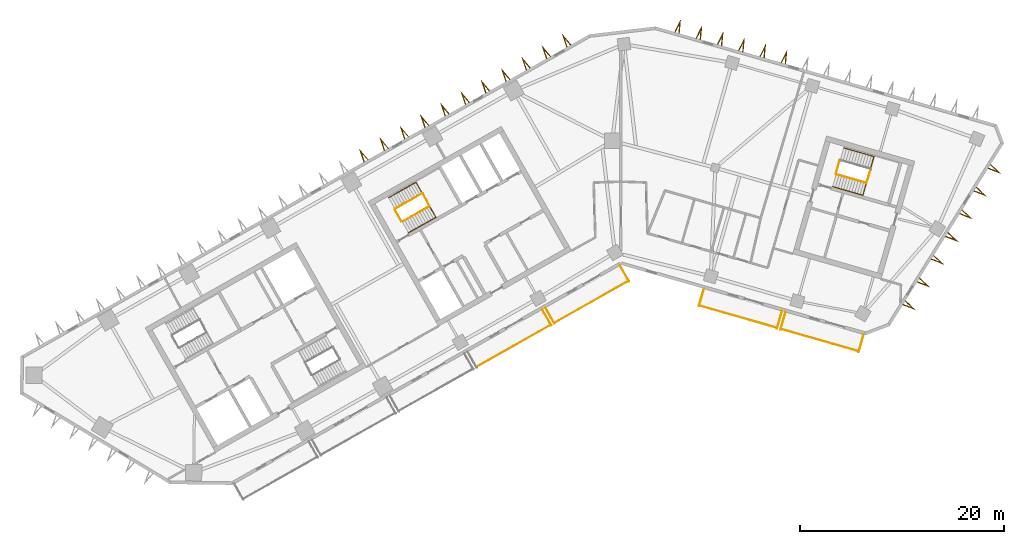
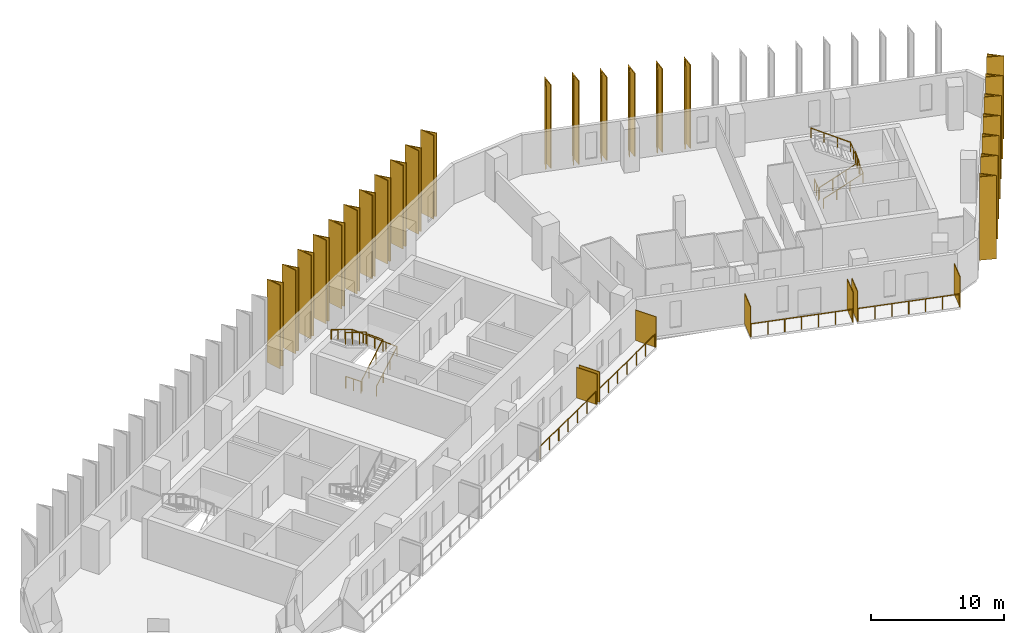
# One storey, part 9 of 10: 31 shading devices, 11 railings.
"""IFC4 building model written with IfcOpenShell, lengths in metres."""

from ifc_helpers import new_model, si_unit, direction, frame, origin, origin_2d, place, context, subcontext, project, spatial, polyline, rectangle, circle, outline, extrude, material, layer, layer_set, type_object, element, save


model = new_model("IFC4")

# Units and contexts
model_context = context("Model", 3, precision=1e-05, world=origin(), true_north=direction((0.0, 1.0)))
body_context = subcontext(model_context, "Body", "Model", "MODEL_VIEW")
ifc_project = project(units=[si_unit("LENGTHUNIT", "METRE"), si_unit("AREAUNIT", "SQUARE_METRE"), si_unit("VOLUMEUNIT", "CUBIC_METRE"), si_unit("PLANEANGLEUNIT", "RADIAN"), si_unit("MASSUNIT", "GRAM", prefix="KILO")], contexts=[model_context])

# Site, building, storey
site_placement = place(None, origin())
site = spatial("IfcSite", under=ifc_project, at=site_placement, CompositionType="ELEMENT")
building_placement = place(site_placement, origin())
building = spatial("IfcBuilding", under=site, at=building_placement, Name="Binnacle Exchange Tower", CompositionType="ELEMENT")
storey_placement = place(building_placement, frame((0.0, 0.0, 170.89990234375)))
storey = spatial("IfcBuildingStorey", under=building, at=storey_placement, Name="L36", CompositionType="ELEMENT", Elevation=170.89990234375)

# Railings
ifc_material_1 = material(Name="Bronze anodised aluminium frame", Category="aluminium")
railing_type_1 = type_object("IfcRailingType", Name="GUARD 1200", PredefinedType="GUARDRAIL", material=ifc_material_1)
railing_1_placement = place(storey_placement, frame((-14.135498046875, 37.85400390625, 0.0)))
element("IfcRailing", 1, at=railing_1_placement, inside=storey, type_object=railing_type_1, Name="Balcony guard G01-B03 L36", PredefinedType="GUARDRAIL", context=body_context, shape_type="SweptSolid", body=[
    extrude(circle(Radius=0.02392578125, at=origin_2d()), frame((0.0, 0.0, 1.17578125), z_axis=(0.870365821494, 0.492405662818, 0.0), x_axis=(-0.492405662818, 0.870365821494, 0.0)), (0.0, 0.0, 1.0), 8.334716796875),
    extrude(circle(Radius=0.02099609375, at=origin_2d()), origin(), (0.0, 0.0, 1.0), 1.15185546875),
    extrude(circle(Radius=0.02099609375, at=origin_2d()), frame((1.208984375, 0.68408203125, 0.0)), (0.0, 0.0, 1.0), 1.15185546875),
    extrude(circle(Radius=0.02099609375, at=origin_2d()), frame((2.41796875, 1.367919921875, 0.0)), (0.0, 0.0, 1.0), 1.15185546875),
    extrude(circle(Radius=0.02099609375, at=origin_2d()), frame((3.626953125, 2.052001953125, 0.0)), (0.0, 0.0, 1.0), 1.15185546875),
    extrude(circle(Radius=0.02099609375, at=origin_2d()), frame((4.836181640625, 2.736083984375, 0.0)), (0.0, 0.0, 1.0), 1.15185546875),
    extrude(circle(Radius=0.02099609375, at=origin_2d()), frame((6.045166015625, 3.419921875, 0.0)), (0.0, 0.0, 1.0), 1.15185546875),
    extrude(circle(Radius=0.02099609375, at=origin_2d()), frame((7.254150390625, 4.10400390625, 0.0)), (0.0, 0.0, 1.0), 1.15185546875),
])
railing_2_placement = place(storey_placement, frame((-6.515869140625, 42.164794921875, 0.0)))
element("IfcRailing", 2, at=railing_2_placement, inside=storey, type_object=railing_type_1, Name="Balcony guard G01-B04 L36", PredefinedType="GUARDRAIL", context=body_context, shape_type="SweptSolid", body=[
    extrude(circle(Radius=0.02392578125, at=origin_2d()), frame((0.0, 0.0, 1.17578125), z_axis=(0.8703461643, 0.49244040684, 0.0), x_axis=(-0.49244040684, 0.8703461643, 0.0)), (0.0, 0.0, 1.0), 8.33447265625),
    extrude(circle(Radius=0.02099609375, at=origin_2d()), origin(), (0.0, 0.0, 1.0), 1.15185546875),
    extrude(circle(Radius=0.02099609375, at=origin_2d()), frame((1.208984375, 0.68408203125, 0.0)), (0.0, 0.0, 1.0), 1.15185546875),
    extrude(circle(Radius=0.02099609375, at=origin_2d()), frame((2.41796875, 1.3681640625, 0.0)), (0.0, 0.0, 1.0), 1.15185546875),
    extrude(circle(Radius=0.02099609375, at=origin_2d()), frame((3.626953125, 2.05224609375, 0.0)), (0.0, 0.0, 1.0), 1.15185546875),
    extrude(circle(Radius=0.02099609375, at=origin_2d()), frame((4.8359375, 2.736083984375, 0.0)), (0.0, 0.0, 1.0), 1.15185546875),
    extrude(circle(Radius=0.02099609375, at=origin_2d()), frame((6.044921875, 3.420166015625, 0.0)), (0.0, 0.0, 1.0), 1.15185546875),
    extrude(circle(Radius=0.02099609375, at=origin_2d()), frame((7.25390625, 4.104248046875, 0.0)), (0.0, 0.0, 1.0), 1.15185546875),
])
for number, where, name in (
    (3, (7.6845703125, 43.85107421875, 0.0), "Balcony guard G02-B01 L36"),
    (4, (15.6826171875, 41.5576171875, 0.0), "Balcony guard G02-B02 L36"),
):
    element("IfcRailing", number, at=place(storey_placement, frame(where)), inside=storey, type_object=railing_type_1, Name=name, PredefinedType="GUARDRAIL", context=body_context, shape_type="SweptSolid", body=[
        extrude(circle(Radius=0.02392578125, at=origin_2d()), frame((0.0, 0.0, 1.17578125), z_axis=(0.961265805968, -0.275623022035, 0.0), x_axis=(0.275623022035, 0.961265805968, 0.0)), (0.0, 0.0, 1.0), 7.900146484375),
        extrude(circle(Radius=0.02099609375, at=origin_2d()), origin(), (0.0, 0.0, 1.0), 1.15185546875),
        extrude(circle(Radius=0.02099609375, at=origin_2d()), frame((1.265625, -0.36279296875, 0.0)), (0.0, 0.0, 1.0), 1.15185546875),
        extrude(circle(Radius=0.02099609375, at=origin_2d()), frame((2.531494140625, -0.725830078125, 0.0)), (0.0, 0.0, 1.0), 1.15185546875),
        extrude(circle(Radius=0.02099609375, at=origin_2d()), frame((3.797119140625, -1.0888671875, 0.0)), (0.0, 0.0, 1.0), 1.15185546875),
        extrude(circle(Radius=0.02099609375, at=origin_2d()), frame((5.062744140625, -1.45166015625, 0.0)), (0.0, 0.0, 1.0), 1.15185546875),
        extrude(circle(Radius=0.02099609375, at=origin_2d()), frame((6.32861328125, -1.814453125, 0.0)), (0.0, 0.0, 1.0), 1.15185546875),
        extrude(circle(Radius=0.02099609375, at=origin_2d()), frame((7.59423828125, -2.177490234375, 0.0)), (0.0, 0.0, 1.0), 1.15185546875),
    ])

# Shading devices
ifc_material_2 = material(Name="Bronze aluminium louvre", Category="aluminium")
ifc_layer = layer(ifc_material_2, 0.06005859375)
ifc_layer_set = layer_set([ifc_layer], Name="PLANTED SCREEN 60x2800")
shading_device_type_1 = type_object("IfcShadingDeviceType", Name="PLANTED SCREEN 60x2800", PredefinedType="USERDEFINED", material=ifc_layer_set)
for number, where, z_axis, x_axis, name in (
    (5, (-7.259033203125, 42.6865234375, 0.0), (0.0, 0.0, 1.0), (0.87035569594, 0.492423560103, 0.0), "Planted screen G01-B03b L36"),
    (6, (-6.94580078125, 42.864013671875, 0.0), (0.0, 0.0, 1.0), (0.87035569594, 0.492423560103, 0.0), "Planted screen G01-B04a L36"),
    (7, (0.3603515625, 46.99755859375, 0.0), (0.0, 0.0, 1.0), (0.87035569594, 0.492423560103, 0.0), "Planted screen G01-B04b L36"),
    (8, (7.881591796875, 44.647705078125, 0.0), (0.0, 0.0, 1.0), (0.961261695938, -0.275637355817, 0.0), "Planted screen G02-B01a L36"),
    (9, (15.53369140625, 42.45361328125, 0.0), (0.0, 0.0, 1.0), (0.961261695938, -0.275637355817, 0.0), "Planted screen G02-B01b L36"),
    (10, (15.8798828125, 42.354248046875, 0.0), (0.0, 0.0, 1.0), (0.961261695938, -0.275637355817, 0.0), "Planted screen G02-B02a L36"),
    (11, (23.53173828125, 40.16015625, 0.0), (0.0, 0.0, 1.0), (0.961261695938, -0.275637355817, 0.0), "Planted screen G02-B02b L36"),
):
    element("IfcShadingDevice", number, at=place(storey_placement, frame(where, z_axis=z_axis, x_axis=x_axis)), inside=storey, type_object=shading_device_type_1, Name=name, ObjectType="SCREEN", PredefinedType="USERDEFINED", context=body_context, shape_type="SweptSolid", body=[
        extrude(rectangle(XDim=0.06005859375, YDim=1.800048828125, at=origin_2d()), origin(), (0.0, 0.0, 1.0), 2.800048828125),
    ])

# Railings
ifc_material_3 = material(Name="Steel guard rail", Category="steel")
railing_type_2 = type_object("IfcRailingType", Name="STAIR GUARD 1100", PredefinedType="GUARDRAIL", material=ifc_material_3)
railing_3_placement = place(storey_placement, frame((-21.423828125, 52.07275390625, 0.166748046875)))
element("IfcRailing", 12, at=railing_3_placement, inside=storey, type_object=railing_type_2, Name="L36 STC1 stair guard 1", PredefinedType="GUARDRAIL", context=body_context, shape_type="SweptSolid", body=[
    extrude(circle(Radius=0.02392578125, at=origin_2d()), frame((0.0, 0.0, 1.076171875), z_axis=(0.747900833971, 0.423129324283, 0.511474258861), x_axis=(-0.492412445098, 0.870361984414, 0.0)), (0.0, 0.0, 1.0), 3.584228515625),
    extrude(circle(Radius=0.02392578125, at=origin_2d()), frame((2.6806640625, 1.5166015625, 2.9091796875), z_axis=(-0.460963092712, 0.887419307406, 0.0), x_axis=(-0.887419307406, -0.460963092712, 0.0)), (0.0, 0.0, 1.0), 1.40087890625),
    extrude(circle(Radius=0.02099609375, at=origin_2d()), origin(), (0.0, 0.0, 1.0), 1.052001953125),
    extrude(circle(Radius=0.02099609375, at=origin_2d()), frame((0.8935546875, 0.505615234375, 0.611083984375)), (0.0, 0.0, 1.0), 1.052001953125),
    extrude(circle(Radius=0.02099609375, at=origin_2d()), frame((1.787109375, 1.010986328125, 1.22216796875)), (0.0, 0.0, 1.0), 1.052001953125),
    extrude(circle(Radius=0.02099609375, at=origin_2d()), frame((2.6806640625, 1.5166015625, 1.833251953125)), (0.0, 0.0, 1.0), 1.052001953125),
    extrude(circle(Radius=0.02099609375, at=origin_2d()), frame((2.35791015625, 2.13818359375, 1.833251953125)), (0.0, 0.0, 1.0), 1.052001953125),
    extrude(circle(Radius=0.02099609375, at=origin_2d()), frame((2.034912109375, 2.759765625, 1.833251953125)), (0.0, 0.0, 1.0), 1.052001953125),
])
railing_4_placement = place(storey_placement, frame((-19.45703125, 54.851318359375, 2.166748046875)))
element("IfcRailing", 13, at=railing_4_placement, inside=storey, type_object=railing_type_2, Name="L36 STC1 stair guard 2", PredefinedType="GUARDRAIL", context=body_context, shape_type="SweptSolid", body=[
    extrude(circle(Radius=0.02392578125, at=origin_2d()), frame((0.0, 0.0, 1.076171875), z_axis=(-0.747900833971, -0.423129324283, 0.511474258861), x_axis=(0.492412445098, -0.870361984414, 0.0)), (0.0, 0.0, 1.0), 3.584228515625),
    extrude(circle(Radius=0.02099609375, at=origin_2d()), origin(), (0.0, 0.0, 1.0), 1.052001953125),
    extrude(circle(Radius=0.02099609375, at=origin_2d()), frame((-0.8935546875, -0.505615234375, 0.611083984375)), (0.0, 0.0, 1.0), 1.052001953125),
    extrude(circle(Radius=0.02099609375, at=origin_2d()), frame((-1.787109375, -1.010986328125, 1.22216796875)), (0.0, 0.0, 1.0), 1.052001953125),
    extrude(circle(Radius=0.02099609375, at=origin_2d()), frame((-2.6806640625, -1.5166015625, 1.833251953125)), (0.0, 0.0, 1.0), 1.052001953125),
])
railing_5_placement = place(storey_placement, frame((-21.491943359375, 52.091552734375, 0.0)))
element("IfcRailing", 14, at=railing_5_placement, inside=storey, type_object=railing_type_2, Name="L36 STC1 stair guard 3", PredefinedType="GUARDRAIL", context=body_context, shape_type="SweptSolid", body=[
    extrude(circle(Radius=0.02392578125, at=origin_2d()), frame((0.0, 0.0, 1.076171875), z_axis=(-0.49241474071, 0.870360685654, 0.0), x_axis=(-0.870360685654, -0.49241474071, 0.0)), (0.0, 0.0, 1.0), 1.35009765625),
    extrude(circle(Radius=0.02099609375, at=origin_2d()), origin(), (0.0, 0.0, 1.0), 1.052001953125),
    extrude(circle(Radius=0.02099609375, at=origin_2d()), frame((-0.33251953125, 0.58740234375, 0.0)), (0.0, 0.0, 1.0), 1.052001953125),
    extrude(circle(Radius=0.02099609375, at=origin_2d()), frame((-0.664794921875, 1.175048828125, 0.0)), (0.0, 0.0, 1.0), 1.052001953125),
])
railing_6_placement = place(storey_placement, frame((21.086669921875, 56.71044921875, 0.166748046875)))
element("IfcRailing", 15, at=railing_6_placement, inside=storey, type_object=railing_type_2, Name="L36 STD1 stair guard 1", PredefinedType="GUARDRAIL", context=body_context, shape_type="SweptSolid", body=[
    extrude(circle(Radius=0.02392578125, at=origin_2d()), frame((0.0, 0.0, 1.076171875), z_axis=(0.826006950853, -0.236897186037, 0.511460888427), x_axis=(0.27568413623, 0.961248280639, 0.0)), (0.0, 0.0, 1.0), 3.584228515625),
    extrude(circle(Radius=0.02392578125, at=origin_2d()), frame((2.960693359375, -0.84912109375, 2.9091796875), z_axis=(0.309684985722, 0.950839213337, 0.0), x_axis=(-0.950839213337, 0.309684985722, 0.0)), (0.0, 0.0, 1.0), 1.40087890625),
    extrude(circle(Radius=0.02099609375, at=origin_2d()), origin(), (0.0, 0.0, 1.0), 1.052001953125),
    extrude(circle(Radius=0.02099609375, at=origin_2d()), frame((0.98681640625, -0.282958984375, 0.611083984375)), (0.0, 0.0, 1.0), 1.052001953125),
    extrude(circle(Radius=0.02099609375, at=origin_2d()), frame((1.973876953125, -0.566162109375, 1.22216796875)), (0.0, 0.0, 1.0), 1.052001953125),
    extrude(circle(Radius=0.02099609375, at=origin_2d()), frame((2.960693359375, -0.84912109375, 1.833251953125)), (0.0, 0.0, 1.0), 1.052001953125),
    extrude(circle(Radius=0.02099609375, at=origin_2d()), frame((3.177734375, -0.18310546875, 1.833251953125)), (0.0, 0.0, 1.0), 1.052001953125),
    extrude(circle(Radius=0.02099609375, at=origin_2d()), frame((3.39453125, 0.48291015625, 1.833251953125)), (0.0, 0.0, 1.0), 1.052001953125),
])
railing_7_placement = place(storey_placement, frame((21.05224609375, 56.772216796875, 0.0)))
element("IfcRailing", 16, at=railing_7_placement, inside=storey, type_object=railing_type_2, Name="L36 STD1 stair guard 3", PredefinedType="GUARDRAIL", context=body_context, shape_type="SweptSolid", body=[
    extrude(circle(Radius=0.02392578125, at=origin_2d()), frame((0.0, 0.0, 1.076171875), z_axis=(0.275795817769, 0.961216243569, 0.0), x_axis=(-0.961216243569, 0.275795817769, 0.0)), (0.0, 0.0, 1.0), 1.349853515625),
    extrude(circle(Radius=0.02099609375, at=origin_2d()), origin(), (0.0, 0.0, 1.0), 1.052001953125),
    extrude(circle(Radius=0.02099609375, at=origin_2d()), frame((0.18603515625, 0.64892578125, 0.0)), (0.0, 0.0, 1.0), 1.052001953125),
    extrude(circle(Radius=0.02099609375, at=origin_2d()), frame((0.372314453125, 1.297607421875, 0.0)), (0.0, 0.0, 1.0), 1.052001953125),
])
ifc_material_4 = material(Name="Steel handrail", Category="steel")
railing_type_3 = type_object("IfcRailingType", Name="STAIR HANDRAIL 900", PredefinedType="HANDRAIL", material=ifc_material_4)
railing_8_placement = place(storey_placement, frame((-20.808349609375, 50.984619140625, 0.166748046875)))
element("IfcRailing", 17, at=railing_8_placement, inside=storey, type_object=railing_type_3, Name="L36 STC1 stair handrail 1", PredefinedType="HANDRAIL", context=body_context, shape_type="SweptSolid", body=[
    extrude(circle(Radius=0.02392578125, at=origin_2d()), frame((0.0, 0.0, 0.8759765625), z_axis=(0.747909291085, 0.423163685048, 0.51143346387), x_axis=(-0.49243851748, 0.870347233294, 0.0)), (0.0, 0.0, 1.0), 3.58447265625),
    extrude(circle(Radius=0.02392578125, at=origin_2d()), frame((2.680908203125, 1.516845703125, 2.708984375), z_axis=(-0.492001882252, 0.86957179666, 0.042178647619), x_axis=(-0.87034633103, -0.492440112159, 0.0)), (0.0, 0.0, 1.0), 3.953369140625),
    extrude(circle(Radius=0.02392578125, at=origin_2d()), frame((0.73583984375, 4.95458984375, 2.8759765625), z_axis=(-0.747930846092, -0.423107769413, 0.511448203561), x_axis=(0.492378474645, -0.870381202524, 0.0)), (0.0, 0.0, 1.0), 3.58447265625),
    extrude(circle(Radius=0.02099609375, at=origin_2d()), origin(), (0.0, 0.0, 1.0), 0.851806640625),
    extrude(circle(Radius=0.02099609375, at=origin_2d()), frame((0.8935546875, 0.505615234375, 0.611083984375)), (0.0, 0.0, 1.0), 0.851806640625),
    extrude(circle(Radius=0.02099609375, at=origin_2d()), frame((1.787353515625, 1.01123046875, 1.22216796875)), (0.0, 0.0, 1.0), 0.851806640625),
    extrude(circle(Radius=0.02099609375, at=origin_2d()), frame((2.680908203125, 1.516845703125, 1.833251953125)), (0.0, 0.0, 1.0), 0.851806640625),
    extrude(circle(Radius=0.02099609375, at=origin_2d()), frame((2.194580078125, 2.376220703125, 1.875)), (0.0, 0.0, 1.0), 0.851806640625),
    extrude(circle(Radius=0.02099609375, at=origin_2d()), frame((1.70849609375, 3.23583984375, 1.91650390625)), (0.0, 0.0, 1.0), 0.851806640625),
    extrude(circle(Radius=0.02099609375, at=origin_2d()), frame((1.22216796875, 4.09521484375, 1.958251953125)), (0.0, 0.0, 1.0), 0.851806640625),
    extrude(circle(Radius=0.02099609375, at=origin_2d()), frame((0.73583984375, 4.95458984375, 2.0)), (0.0, 0.0, 1.0), 0.851806640625),
    extrude(circle(Radius=0.02099609375, at=origin_2d()), frame((-0.15771484375, 4.448974609375, 2.611083984375)), (0.0, 0.0, 1.0), 0.851806640625),
    extrude(circle(Radius=0.02099609375, at=origin_2d()), frame((-1.051513671875, 3.943603515625, 3.22216796875)), (0.0, 0.0, 1.0), 0.851806640625),
    extrude(circle(Radius=0.02099609375, at=origin_2d()), frame((-1.945068359375, 3.43798828125, 3.833251953125)), (0.0, 0.0, 1.0), 0.851806640625),
])
railing_9_placement = place(storey_placement, frame((20.7421875, 55.5087890625, 0.166748046875)))
element("IfcRailing", 18, at=railing_9_placement, inside=storey, type_object=railing_type_3, Name="L36 STD1 stair handrail 1", PredefinedType="HANDRAIL", context=body_context, shape_type="SweptSolid", body=[
    extrude(circle(Radius=0.02392578125, at=origin_2d()), frame((0.0, 0.0, 0.8759765625), z_axis=(0.826020277534, -0.236832893954, 0.511469140266), x_axis=(0.275610892984, 0.961269283639, 0.0)), (0.0, 0.0, 1.0), 3.584228515625),
    extrude(circle(Radius=0.02392578125, at=origin_2d()), frame((2.960693359375, -0.848876953125, 2.708984375), z_axis=(0.275365570671, 0.960413849534, 0.042178668932), x_axis=(-0.961269298493, 0.275610841177, 0.0)), (0.0, 0.0, 1.0), 3.953369140625),
    extrude(circle(Radius=0.02392578125, at=origin_2d()), frame((4.04931640625, 2.947998046875, 2.8759765625), z_axis=(-0.826020277534, 0.236832893954, 0.511469140266), x_axis=(-0.275610892984, -0.961269283639, 0.0)), (0.0, 0.0, 1.0), 3.584228515625),
    extrude(circle(Radius=0.02099609375, at=origin_2d()), origin(), (0.0, 0.0, 1.0), 0.851806640625),
    extrude(circle(Radius=0.02099609375, at=origin_2d()), frame((0.98681640625, -0.282958984375, 0.611083984375)), (0.0, 0.0, 1.0), 0.851806640625),
    extrude(circle(Radius=0.02099609375, at=origin_2d()), frame((1.973876953125, -0.56591796875, 1.22216796875)), (0.0, 0.0, 1.0), 0.851806640625),
    extrude(circle(Radius=0.02099609375, at=origin_2d()), frame((2.960693359375, -0.848876953125, 1.833251953125)), (0.0, 0.0, 1.0), 0.851806640625),
    extrude(circle(Radius=0.02099609375, at=origin_2d()), frame((3.23291015625, 0.100341796875, 1.875)), (0.0, 0.0, 1.0), 0.851806640625),
    extrude(circle(Radius=0.02099609375, at=origin_2d()), frame((3.5048828125, 1.049560546875, 1.91650390625)), (0.0, 0.0, 1.0), 0.851806640625),
    extrude(circle(Radius=0.02099609375, at=origin_2d()), frame((3.777099609375, 1.998779296875, 1.958251953125)), (0.0, 0.0, 1.0), 0.851806640625),
    extrude(circle(Radius=0.02099609375, at=origin_2d()), frame((4.04931640625, 2.947998046875, 2.0)), (0.0, 0.0, 1.0), 0.851806640625),
    extrude(circle(Radius=0.02099609375, at=origin_2d()), frame((3.0625, 3.23095703125, 2.611083984375)), (0.0, 0.0, 1.0), 0.851806640625),
    extrude(circle(Radius=0.02099609375, at=origin_2d()), frame((2.075439453125, 3.513916015625, 3.22216796875)), (0.0, 0.0, 1.0), 0.851806640625),
    extrude(circle(Radius=0.02099609375, at=origin_2d()), frame((1.088623046875, 3.796875, 3.833251953125)), (0.0, 0.0, 1.0), 0.851806640625),
])

# Shading devices
ifc_material_5 = material(Name="Bronze aluminium cladding", Category="aluminium")
shading_device_type_2 = type_object("IfcShadingDeviceType", Name="V FIN 1300 DEEP x 7680 HIGH", PredefinedType="USERDEFINED", material=ifc_material_5)
shading_device_1_placement = place(storey_placement, origin())
element("IfcShadingDevice", 19, at=shading_device_1_placement, inside=storey, type_object=shading_device_type_2, Name="V fin FN-G04-01 L36", ObjectType="FIN", PredefinedType="USERDEFINED", context=body_context, shape_type="SweptSolid", body=[
    extrude(outline(polyline([(27.61669921875, 43.9130859375), (28.851806640625, 43.43603515625), (27.881591796875, 44.3369140625), (27.83837890625, 44.267822265625), (28.492431640625, 43.66064453125), (27.659912109375, 43.982177734375), (27.61669921875, 43.9130859375)])), origin(), (0.0, 0.0, 1.0), 7.68017578125),
])
shading_device_2_placement = place(storey_placement, origin())
element("IfcShadingDevice", 20, at=shading_device_2_placement, inside=storey, type_object=shading_device_type_2, Name="V fin FN-G04-02 L36", ObjectType="FIN", PredefinedType="USERDEFINED", context=body_context, shape_type="SweptSolid", body=[
    extrude(outline(polyline([(29.0078125, 46.13916015625), (30.242919921875, 45.662353515625), (29.272705078125, 46.563232421875), (29.2294921875, 46.494140625), (29.883544921875, 45.88671875), (29.051025390625, 46.208251953125), (29.0078125, 46.13916015625)])), origin(), (0.0, 0.0, 1.0), 7.68017578125),
])
shading_device_3_placement = place(storey_placement, origin())
element("IfcShadingDevice", 21, at=shading_device_3_placement, inside=storey, type_object=shading_device_type_2, Name="V fin FN-G04-03 L36", ObjectType="FIN", PredefinedType="USERDEFINED", context=body_context, shape_type="SweptSolid", body=[
    extrude(outline(polyline([(30.398681640625, 48.365234375), (31.6337890625, 47.888427734375), (30.663818359375, 48.789306640625), (30.62060546875, 48.72021484375), (31.2744140625, 48.11279296875), (30.44189453125, 48.434326171875), (30.398681640625, 48.365234375)])), origin(), (0.0, 0.0, 1.0), 7.68017578125),
])
shading_device_4_placement = place(storey_placement, origin())
element("IfcShadingDevice", 22, at=shading_device_4_placement, inside=storey, type_object=shading_device_type_2, Name="V fin FN-G04-04 L36", ObjectType="FIN", PredefinedType="USERDEFINED", context=body_context, shape_type="SweptSolid", body=[
    extrude(outline(polyline([(31.789794921875, 50.59130859375), (33.02490234375, 50.114501953125), (32.054931640625, 51.015380859375), (32.01171875, 50.9462890625), (32.66552734375, 50.339111328125), (31.8330078125, 50.660400390625), (31.789794921875, 50.59130859375)])), origin(), (0.0, 0.0, 1.0), 7.68017578125),
])
shading_device_5_placement = place(storey_placement, origin())
element("IfcShadingDevice", 23, at=shading_device_5_placement, inside=storey, type_object=shading_device_type_2, Name="V fin FN-G04-05 L36", ObjectType="FIN", PredefinedType="USERDEFINED", context=body_context, shape_type="SweptSolid", body=[
    extrude(outline(polyline([(33.180908203125, 52.8173828125), (34.416015625, 52.340576171875), (33.44580078125, 53.241455078125), (33.402587890625, 53.17236328125), (34.056640625, 52.565185546875), (33.22412109375, 52.88671875), (33.180908203125, 52.8173828125)])), origin(), (0.0, 0.0, 1.0), 7.68017578125),
])
shading_device_6_placement = place(storey_placement, origin())
element("IfcShadingDevice", 24, at=shading_device_6_placement, inside=storey, type_object=shading_device_type_2, Name="V fin FN-G04-06 L36", ObjectType="FIN", PredefinedType="USERDEFINED", context=body_context, shape_type="SweptSolid", body=[
    extrude(outline(polyline([(34.572021484375, 55.043701171875), (35.806884765625, 54.56689453125), (34.8369140625, 55.4677734375), (34.793701171875, 55.398681640625), (35.447509765625, 54.791259765625), (34.614990234375, 55.11279296875), (34.572021484375, 55.043701171875)])), origin(), (0.0, 0.0, 1.0), 7.68017578125),
])
shading_device_7_placement = place(storey_placement, origin())
element("IfcShadingDevice", 25, at=shading_device_7_placement, inside=storey, type_object=shading_device_type_2, Name="V fin FN-G04-07 L36", ObjectType="FIN", PredefinedType="USERDEFINED", context=body_context, shape_type="SweptSolid", body=[
    extrude(outline(polyline([(35.962890625, 57.269775390625), (37.197998046875, 56.79296875), (36.22802734375, 57.69384765625), (36.184814453125, 57.624755859375), (36.838623046875, 57.017333984375), (36.006103515625, 57.3388671875), (35.962890625, 57.269775390625)])), origin(), (0.0, 0.0, 1.0), 7.68017578125),
])
shading_device_8_placement = place(storey_placement, origin())
element("IfcShadingDevice", 26, at=shading_device_8_placement, inside=storey, type_object=shading_device_type_2, Name="V fin FN-G06-10 L36", ObjectType="FIN", PredefinedType="USERDEFINED", context=body_context, shape_type="SweptSolid", body=[
    extrude(outline(polyline([(16.151611328125, 67.524658203125), (16.26953125, 68.84326171875), (15.6708984375, 67.66259765625), (15.749267578125, 67.64013671875), (16.15283203125, 68.43603515625), (16.0732421875, 67.547119140625), (16.151611328125, 67.524658203125)])), origin(), (0.0, 0.0, 1.0), 7.68017578125),
])
shading_device_9_placement = place(storey_placement, origin())
element("IfcShadingDevice", 27, at=shading_device_9_placement, inside=storey, type_object=shading_device_type_2, Name="V fin FN-G06-11 L36", ObjectType="FIN", PredefinedType="USERDEFINED", context=body_context, shape_type="SweptSolid", body=[
    extrude(outline(polyline([(14.0673828125, 68.122314453125), (14.185302734375, 69.44091796875), (13.586669921875, 68.260009765625), (13.6650390625, 68.23779296875), (14.068603515625, 69.03369140625), (13.989013671875, 68.144775390625), (14.0673828125, 68.122314453125)])), origin(), (0.0, 0.0, 1.0), 7.68017578125),
])
shading_device_10_placement = place(storey_placement, origin())
element("IfcShadingDevice", 28, at=shading_device_10_placement, inside=storey, type_object=shading_device_type_2, Name="V fin FN-G06-12 L36", ObjectType="FIN", PredefinedType="USERDEFINED", context=body_context, shape_type="SweptSolid", body=[
    extrude(outline(polyline([(11.98291015625, 68.719970703125), (12.10107421875, 70.03857421875), (11.50244140625, 68.85791015625), (11.580810546875, 68.83544921875), (11.984375, 69.63134765625), (11.90478515625, 68.742431640625), (11.98291015625, 68.719970703125)])), origin(), (0.0, 0.0, 1.0), 7.68017578125),
])
shading_device_11_placement = place(storey_placement, origin())
element("IfcShadingDevice", 29, at=shading_device_11_placement, inside=storey, type_object=shading_device_type_2, Name="V fin FN-G06-13 L36", ObjectType="FIN", PredefinedType="USERDEFINED", context=body_context, shape_type="SweptSolid", body=[
    extrude(outline(polyline([(9.898681640625, 69.317626953125), (10.016845703125, 70.635986328125), (9.418212890625, 69.455322265625), (9.49658203125, 69.43310546875), (9.900146484375, 70.22900390625), (9.820556640625, 69.340087890625), (9.898681640625, 69.317626953125)])), origin(), (0.0, 0.0, 1.0), 7.68017578125),
])
shading_device_12_placement = place(storey_placement, origin())
element("IfcShadingDevice", 30, at=shading_device_12_placement, inside=storey, type_object=shading_device_type_2, Name="V fin FN-G06-14 L36", ObjectType="FIN", PredefinedType="USERDEFINED", context=body_context, shape_type="SweptSolid", body=[
    extrude(outline(polyline([(7.814453125, 69.915283203125), (7.9326171875, 71.233642578125), (7.333984375, 70.052978515625), (7.412109375, 70.030517578125), (7.81591796875, 70.826416015625), (7.736083984375, 69.9375), (7.814453125, 69.915283203125)])), origin(), (0.0, 0.0, 1.0), 7.68017578125),
])
shading_device_13_placement = place(storey_placement, origin())
element("IfcShadingDevice", 31, at=shading_device_13_placement, inside=storey, type_object=shading_device_type_2, Name="V fin FN-G06-15 L36", ObjectType="FIN", PredefinedType="USERDEFINED", context=body_context, shape_type="SweptSolid", body=[
    extrude(outline(polyline([(5.730224609375, 70.512939453125), (5.84814453125, 71.831298828125), (5.24951171875, 70.650634765625), (5.327880859375, 70.62841796875), (5.7314453125, 71.42431640625), (5.65185546875, 70.535400390625), (5.730224609375, 70.512939453125)])), origin(), (0.0, 0.0, 1.0), 7.68017578125),
])
shading_device_14_placement = place(storey_placement, origin())
element("IfcShadingDevice", 32, at=shading_device_14_placement, inside=storey, type_object=shading_device_type_2, Name="V fin FN-G08-01 L36", ObjectType="FIN", PredefinedType="USERDEFINED", context=body_context, shape_type="SweptSolid", body=[
    extrude(outline(polyline([(-4.88916015625, 69.40625), (-5.746826171875, 70.41455078125), (-5.32421875, 69.159912109375), (-5.25341796875, 69.2001953125), (-5.5380859375, 70.0458984375), (-4.9599609375, 69.3662109375), (-4.88916015625, 69.40625)])), origin(), (0.0, 0.0, 1.0), 7.68017578125),
])
shading_device_15_placement = place(storey_placement, origin())
element("IfcShadingDevice", 33, at=shading_device_15_placement, inside=storey, type_object=shading_device_type_2, Name="V fin FN-G08-02 L36", ObjectType="FIN", PredefinedType="USERDEFINED", context=body_context, shape_type="SweptSolid", body=[
    extrude(outline(polyline([(-6.87548828125, 68.2822265625), (-7.7333984375, 69.290771484375), (-7.310791015625, 68.0361328125), (-7.239990234375, 68.076171875), (-7.524658203125, 68.922119140625), (-6.946533203125, 68.2421875), (-6.87548828125, 68.2822265625)])), origin(), (0.0, 0.0, 1.0), 7.68017578125),
])
shading_device_16_placement = place(storey_placement, origin())
element("IfcShadingDevice", 34, at=shading_device_16_placement, inside=storey, type_object=shading_device_type_2, Name="V fin FN-G08-03 L36", ObjectType="FIN", PredefinedType="USERDEFINED", context=body_context, shape_type="SweptSolid", body=[
    extrude(outline(polyline([(-8.862060546875, 67.158203125), (-9.719970703125, 68.166748046875), (-9.29736328125, 66.912109375), (-9.226318359375, 66.9521484375), (-9.51123046875, 67.798095703125), (-8.93310546875, 67.1181640625), (-8.862060546875, 67.158203125)])), origin(), (0.0, 0.0, 1.0), 7.68017578125),
])
shading_device_17_placement = place(storey_placement, origin())
element("IfcShadingDevice", 35, at=shading_device_17_placement, inside=storey, type_object=shading_device_type_2, Name="V fin FN-G08-04 L36", ObjectType="FIN", PredefinedType="USERDEFINED", context=body_context, shape_type="SweptSolid", body=[
    extrude(outline(polyline([(-10.8486328125, 66.034423828125), (-11.70654296875, 67.042724609375), (-11.283935546875, 65.7880859375), (-11.212890625, 65.828369140625), (-11.497802734375, 66.674072265625), (-10.919677734375, 65.994384765625), (-10.8486328125, 66.034423828125)])), origin(), (0.0, 0.0, 1.0), 7.68017578125),
])
shading_device_18_placement = place(storey_placement, origin())
element("IfcShadingDevice", 36, at=shading_device_18_placement, inside=storey, type_object=shading_device_type_2, Name="V fin FN-G08-05 L36", ObjectType="FIN", PredefinedType="USERDEFINED", context=body_context, shape_type="SweptSolid", body=[
    extrude(outline(polyline([(-12.835205078125, 64.910400390625), (-13.693115234375, 65.9189453125), (-13.2705078125, 64.664306640625), (-13.199462890625, 64.704345703125), (-13.484375, 65.55029296875), (-12.906005859375, 64.870361328125), (-12.835205078125, 64.910400390625)])), origin(), (0.0, 0.0, 1.0), 7.68017578125),
])
shading_device_19_placement = place(storey_placement, origin())
element("IfcShadingDevice", 37, at=shading_device_19_placement, inside=storey, type_object=shading_device_type_2, Name="V fin FN-G08-06 L36", ObjectType="FIN", PredefinedType="USERDEFINED", context=body_context, shape_type="SweptSolid", body=[
    extrude(outline(polyline([(-14.82177734375, 63.78662109375), (-15.6796875, 64.794921875), (-15.257080078125, 63.540283203125), (-15.18603515625, 63.580322265625), (-15.470947265625, 64.42626953125), (-14.892578125, 63.746337890625), (-14.82177734375, 63.78662109375)])), origin(), (0.0, 0.0, 1.0), 7.68017578125),
])
shading_device_20_placement = place(storey_placement, origin())
element("IfcShadingDevice", 38, at=shading_device_20_placement, inside=storey, type_object=shading_device_type_2, Name="V fin FN-G08-07 L36", ObjectType="FIN", PredefinedType="USERDEFINED", context=body_context, shape_type="SweptSolid", body=[
    extrude(outline(polyline([(-16.808349609375, 62.66259765625), (-17.666015625, 63.6708984375), (-17.243408203125, 62.41650390625), (-17.172607421875, 62.45654296875), (-17.45751953125, 63.30224609375), (-16.879150390625, 62.62255859375), (-16.808349609375, 62.66259765625)])), origin(), (0.0, 0.0, 1.0), 7.68017578125),
])
shading_device_21_placement = place(storey_placement, origin())
element("IfcShadingDevice", 39, at=shading_device_21_placement, inside=storey, type_object=shading_device_type_2, Name="V fin FN-G08-08 L36", ObjectType="FIN", PredefinedType="USERDEFINED", context=body_context, shape_type="SweptSolid", body=[
    extrude(outline(polyline([(-18.794921875, 61.53857421875), (-19.652587890625, 62.547119140625), (-19.22998046875, 61.29248046875), (-19.1591796875, 61.33251953125), (-19.444091796875, 62.17822265625), (-18.86572265625, 61.49853515625), (-18.794921875, 61.53857421875)])), origin(), (0.0, 0.0, 1.0), 7.68017578125),
])
shading_device_22_placement = place(storey_placement, origin())
element("IfcShadingDevice", 40, at=shading_device_22_placement, inside=storey, type_object=shading_device_type_2, Name="V fin FN-G08-09 L36", ObjectType="FIN", PredefinedType="USERDEFINED", context=body_context, shape_type="SweptSolid", body=[
    extrude(outline(polyline([(-20.781494140625, 60.414794921875), (-21.639404296875, 61.423095703125), (-21.216796875, 60.16845703125), (-21.145751953125, 60.20849609375), (-21.4306640625, 61.054443359375), (-20.852294921875, 60.37451171875), (-20.781494140625, 60.414794921875)])), origin(), (0.0, 0.0, 1.0), 7.68017578125),
])
shading_device_23_placement = place(storey_placement, origin())
element("IfcShadingDevice", 41, at=shading_device_23_placement, inside=storey, type_object=shading_device_type_2, Name="V fin FN-G08-10 L36", ObjectType="FIN", PredefinedType="USERDEFINED", context=body_context, shape_type="SweptSolid", body=[
    extrude(outline(polyline([(-22.76806640625, 59.290771484375), (-23.625732421875, 60.29931640625), (-23.203125, 59.044677734375), (-23.13232421875, 59.084716796875), (-23.4169921875, 59.930419921875), (-22.8388671875, 59.250732421875), (-22.76806640625, 59.290771484375)])), origin(), (0.0, 0.0, 1.0), 7.68017578125),
])
shading_device_24_placement = place(storey_placement, origin())
element("IfcShadingDevice", 42, at=shading_device_24_placement, inside=storey, type_object=shading_device_type_2, Name="V fin FN-G08-11 L36", ObjectType="FIN", PredefinedType="USERDEFINED", context=body_context, shape_type="SweptSolid", body=[
    extrude(outline(polyline([(-24.754638671875, 58.166748046875), (-25.6123046875, 59.17529296875), (-25.189697265625, 57.920654296875), (-25.118896484375, 57.960693359375), (-25.40380859375, 58.806396484375), (-24.825439453125, 58.126708984375), (-24.754638671875, 58.166748046875)])), origin(), (0.0, 0.0, 1.0), 7.68017578125),
])

save(model, "model.ifc")
